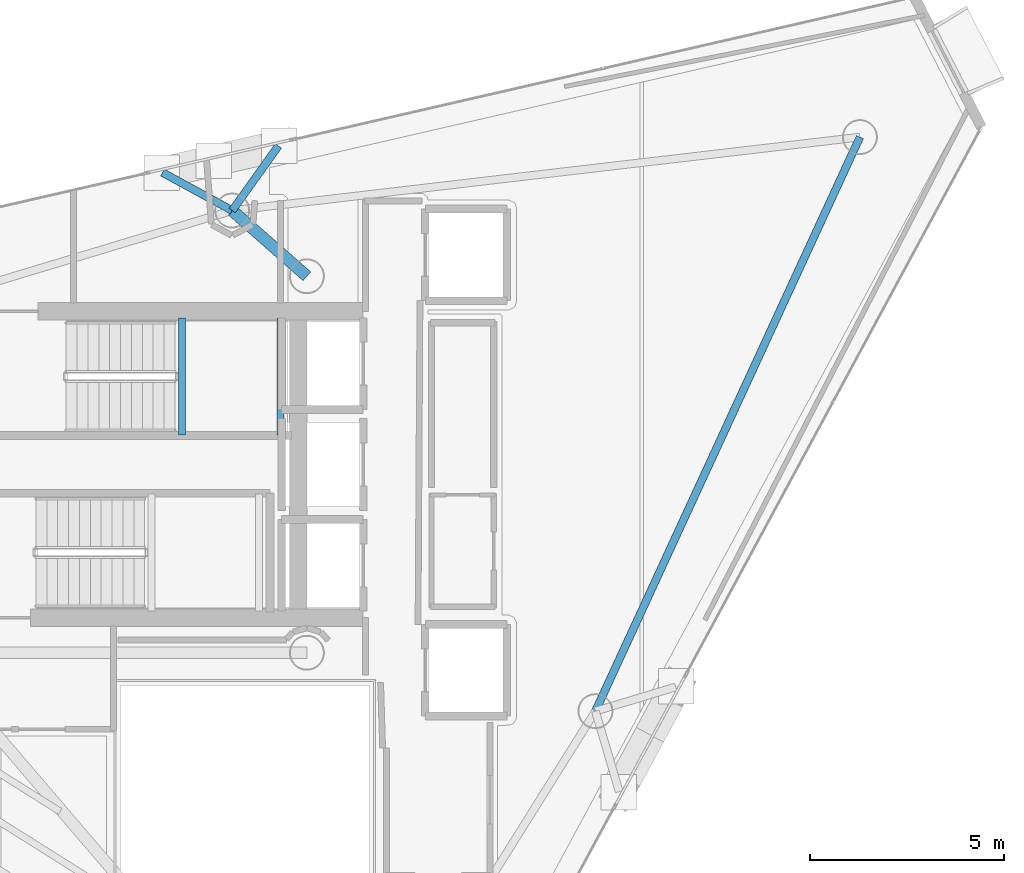
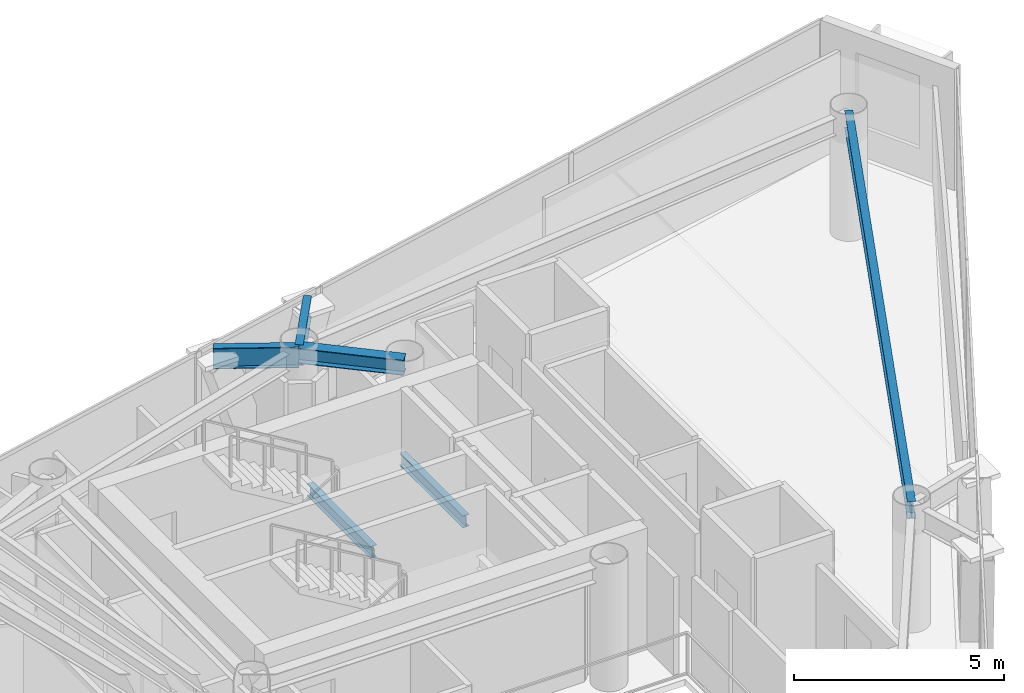
# One storey, part 14 of 24: 6 beams.
"""IFC4 building model written with IfcOpenShell, lengths in metres."""

from ifc_helpers import new_model, si_unit, direction, frame, origin, origin_2d, place, context, subcontext, project, spatial, i_section, extrude, material, material_profile, profile_set, type_object, element, save


model = new_model("IFC4")

# Units and contexts
model_context = context("Model", 3, precision=1e-05, world=origin(), true_north=direction((0.0, 1.0)))
body_context = subcontext(model_context, "Body", "Model", "MODEL_VIEW")
ifc_project = project(units=[si_unit("LENGTHUNIT", "METRE"), si_unit("AREAUNIT", "SQUARE_METRE"), si_unit("VOLUMEUNIT", "CUBIC_METRE"), si_unit("PLANEANGLEUNIT", "RADIAN"), si_unit("MASSUNIT", "GRAM", prefix="KILO")], contexts=[model_context])

# Site, building, storey
site_placement = place(None, origin())
site = spatial("IfcSite", under=ifc_project, at=site_placement, CompositionType="ELEMENT")
building_placement = place(site_placement, origin())
building = spatial("IfcBuilding", under=site, at=building_placement, Name="Qianvela Tower", CompositionType="ELEMENT")
storey_placement = place(building_placement, frame((0.0, 0.0, 306.5)))
storey = spatial("IfcBuildingStorey", under=building, at=storey_placement, Name="L79", CompositionType="ELEMENT", Elevation=306.5)

# Beams
ifc_material_1 = material(Name="Steel Q355B", Category="steel")
ifc_material_profile_1 = material_profile(ifc_material_1, i_section(OverallWidth=0.300048828125, OverallDepth=0.43994140625, WebThickness=0.010986328125, FlangeThickness=0.01806640625, at=origin_2d()), Name="HM440x300x11x18")
ifc_profile_set_1 = profile_set([ifc_material_profile_1], Name="Steel Q355B")
beam_type_1 = type_object("IfcBeamType", Name="BM-HM440-COLL", PredefinedType="BEAM", material=ifc_profile_set_1)
beam_1_placement = place(storey_placement, frame((38.39990234375, 33.550048828125, 3.298095703125), z_axis=(-0.750732416106, 0.660606417928, 0.0), x_axis=(-0.660606417928, -0.750732416106, 0.0)))
element("IfcBeam", 1, at=beam_1_placement, inside=storey, type_object=beam_type_1, Name="L79 Radial Primary Floor Girder 2", PredefinedType="BEAM", context=body_context, shape_type="SweptSolid", body=[
    extrude(i_section(OverallWidth=0.300048828125, OverallDepth=0.43994140625, WebThickness=0.010986328125, FlangeThickness=0.01806640625, at=origin_2d()), origin(), (0.0, 0.0, 1.0), 2.5625),
])
ifc_material_2 = material(Name="Steel Q355B", Category="steel")
ifc_material_profile_2 = material_profile(ifc_material_2, i_section(OverallWidth=0.175048828125, OverallDepth=0.35009765625, WebThickness=0.007080078125, FlangeThickness=0.010986328125, at=origin_2d()), Name="HN350x175x7x11")
ifc_profile_set_2 = profile_set([ifc_material_profile_2], Name="Steel Q355B")
beam_type_2 = type_object("IfcBeamType", Name="BM-HN350-JOIST", PredefinedType="JOIST", material=ifc_profile_set_2)
for number, where, z_axis, x_axis, name in (
    (2, (35.179931640625, 29.4599609375, 1.47509765625), (0.0, 1.0, 0.0), (-1.0, 0.0, 0.0), "L79 Stair ST-1 Landing Support Beam 1.1"),
    (3, (37.719970703125, 29.4599609375, 1.47509765625), (0.0, 1.0, 0.0), (-1.0, 0.0, 0.0), "L79 Stair ST-1 Landing Support Beam 1.2"),
):
    element("IfcBeam", number, at=place(storey_placement, frame(where, z_axis=z_axis, x_axis=x_axis)), inside=storey, type_object=beam_type_2, Name=name, PredefinedType="JOIST", context=body_context, shape_type="SweptSolid", body=[
        extrude(i_section(OverallWidth=0.175048828125, OverallDepth=0.35009765625, WebThickness=0.007080078125, FlangeThickness=0.010986328125, at=origin_2d()), origin(), (0.0, 0.0, 1.0), 3.02001953125),
    ])
ifc_material_3 = material(Name="Steel Q355B", Category="steel")
ifc_material_profile_3 = material_profile(ifc_material_3, i_section(OverallWidth=0.199951171875, OverallDepth=0.5, WebThickness=0.010009765625, FlangeThickness=0.01611328125, at=origin_2d()), Name="HN500x200x10x16")
ifc_profile_set_3 = profile_set([ifc_material_profile_3], Name="Steel Q355B")
beam_type_3 = type_object("IfcBeamType", Name="BM-HN500-GIRD", PredefinedType="BEAM", material=ifc_profile_set_3)
beam_2_placement = place(storey_placement, frame((45.833984375, 22.344970703125, 3.26806640625), z_axis=(0.418440097712, 0.908244396969, 0.0), x_axis=(-0.908244396969, 0.418440097712, 0.0)))
element("IfcBeam", 4, at=beam_2_placement, inside=storey, type_object=beam_type_3, Name="L79 Perimeter Ring Spandrel Girder 6", PredefinedType="BEAM", context=body_context, shape_type="SweptSolid", body=[
    extrude(i_section(OverallWidth=0.199951171875, OverallDepth=0.5, WebThickness=0.010009765625, FlangeThickness=0.01611328125, at=origin_2d()), origin(), (0.0, 0.0, 1.0), 16.2841796875),
])
ifc_material_4 = material(Name="Steel Q355B", Category="steel")
ifc_material_profile_4 = material_profile(ifc_material_4, i_section(OverallWidth=0.199951171875, OverallDepth=0.60009765625, WebThickness=0.010986328125, FlangeThickness=0.01708984375, at=origin_2d()), Name="HN600x200x11x17")
ifc_profile_set_4 = profile_set([ifc_material_profile_4], Name="Steel Q355B")
beam_type_4 = type_object("IfcBeamType", Name="BM-HN600-GIRD", PredefinedType="BEAM", material=ifc_profile_set_4)
beam_3_placement = place(storey_placement, frame((36.47607421875, 35.242919921875, 3.218017578125), z_axis=(0.58152025455, 0.81353192534, 0.0), x_axis=(-0.81353192534, 0.58152025455, 0.0)))
element("IfcBeam", 5, at=beam_3_placement, inside=storey, type_object=beam_type_4, Name="L79 Mega-Brace Column Tie Bracket F1-1", PredefinedType="BEAM", context=body_context, shape_type="SweptSolid", body=[
    extrude(i_section(OverallWidth=0.199951171875, OverallDepth=0.60009765625, WebThickness=0.010986328125, FlangeThickness=0.01708984375, at=origin_2d()), origin(), (0.0, 0.0, 1.0), 2.046630859375),
])
beam_4_placement = place(storey_placement, frame((36.47607421875, 35.242919921875, 3.218017578125), z_axis=(-0.878077835356, 0.478517831493, 0.0), x_axis=(-0.478517831493, -0.878077835356, 0.0)))
element("IfcBeam", 6, at=beam_4_placement, inside=storey, type_object=beam_type_4, Name="L79 Mega-Brace Column Tie Bracket F1-2", PredefinedType="BEAM", context=body_context, shape_type="SweptSolid", body=[
    extrude(i_section(OverallWidth=0.199951171875, OverallDepth=0.60009765625, WebThickness=0.010986328125, FlangeThickness=0.01708984375, at=origin_2d()), origin(), (0.0, 0.0, 1.0), 2.046875),
])

save(model, "model.ifc")
